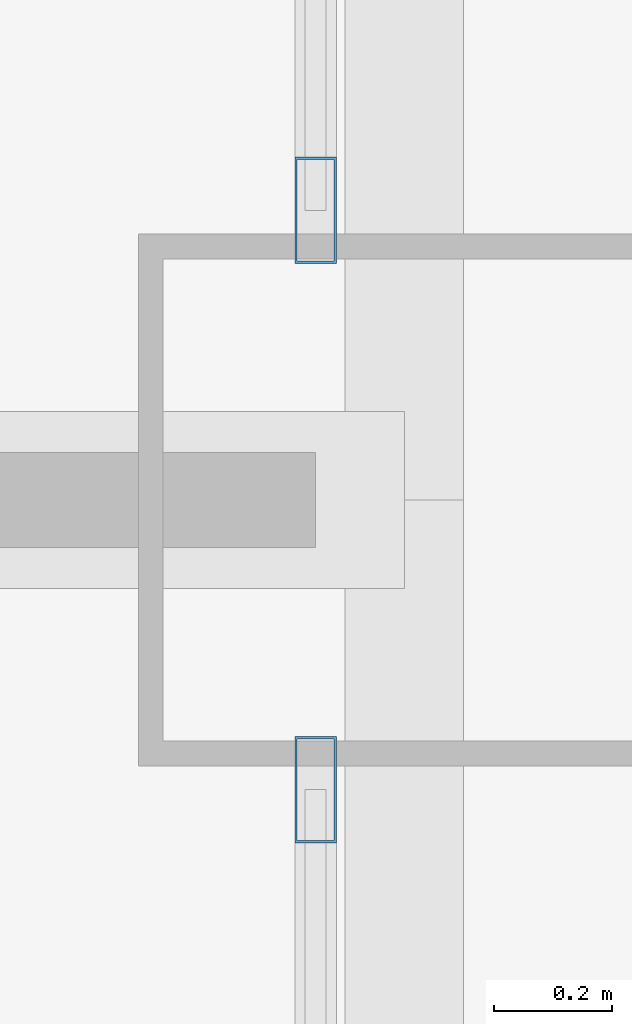
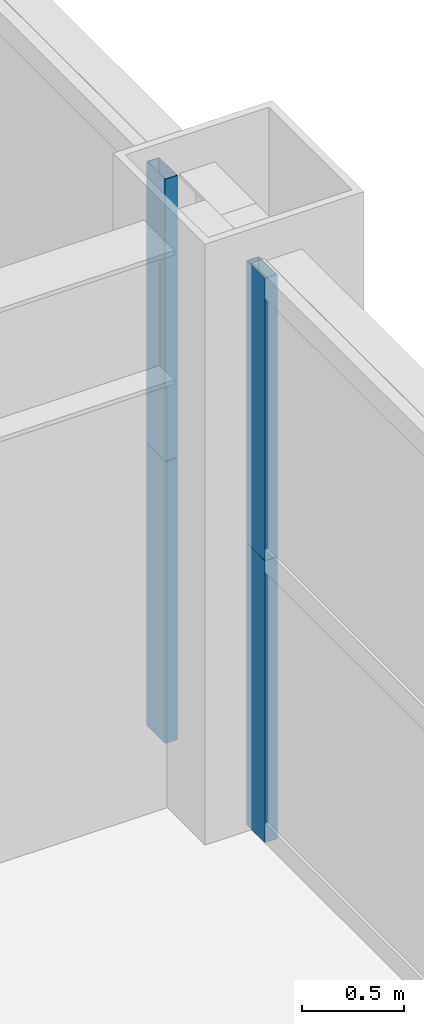
# One storey, part 21 of 43: 4 members, 2 elements without a shape of their own.
"""IFC4 building model written with IfcOpenShell, lengths in metres."""

from ifc_helpers import new_model, si_unit, direction, frame, origin, origin_2d, place, context, subcontext, project, spatial, hollow_rectangle, extrude, source, transform, mapped, material, layer, layer_set, material_profile, profile_set, type_object, element, aggregate, save


model = new_model("IFC4")

# Units and contexts
model_context = context("Model", 3, precision=1e-05, world=origin(), true_north=direction((0.0, 1.0)))
body_context = subcontext(model_context, "Body", "Model", "MODEL_VIEW")
ifc_project = project(units=[si_unit("LENGTHUNIT", "METRE"), si_unit("AREAUNIT", "SQUARE_METRE"), si_unit("VOLUMEUNIT", "CUBIC_METRE"), si_unit("PLANEANGLEUNIT", "RADIAN"), si_unit("MASSUNIT", "GRAM", prefix="KILO"), si_unit("THERMODYNAMICTEMPERATUREUNIT", "KELVIN"), si_unit("POWERUNIT", "WATT")], contexts=[model_context])

# Site, building, storey
site_placement = place(None, origin())
site = spatial("IfcSite", under=ifc_project, at=site_placement, CompositionType="ELEMENT")
building_placement = place(site_placement, origin())
building = spatial("IfcBuilding", under=site, at=building_placement, Name="Yuzanri Waterfront Tower", CompositionType="ELEMENT")
storey_placement = place(building_placement, frame((0.0, 0.0, 64.0)))
storey = spatial("IfcBuildingStorey", under=building, at=storey_placement, Name="L16", CompositionType="ELEMENT", Elevation=64.0)

# Curtain wall, members
ifc_material_1 = material(Name="Anodized Architectural Bronze", Category="metal")
ifc_layer = layer(ifc_material_1, 0.159912109375)
ifc_layer_set = layer_set([ifc_layer], Name="Anodized Architectural Bronze")
curtain_wall_type = type_object("IfcCurtainWallType", Name="Anodized Bronze Hotel Lower-Tier Recessed Unitized Curtain Wall 8100", PredefinedType="NOTDEFINED", material=ifc_layer_set)
curtain_wall_1_placement = place(storey_placement, origin())
curtain_wall_1 = element("IfcCurtainWall", 1, at=curtain_wall_1_placement, inside=storey, type_object=curtain_wall_type, Name="L16 Curtain Wall CW-L16-EL", PredefinedType="NOTDEFINED")
ifc_material_2 = material(Name="Anodized Architectural Bronze", Category="metal")
ifc_material_profile = material_profile(ifc_material_2, hollow_rectangle(XDim=0.070068359375, YDim=0.179931640625, WallThickness=0.00390625, at=origin_2d()), Name="CWM 70x180")
ifc_profile_set = profile_set([ifc_material_profile], Name="Anodized Architectural Bronze")
member_type = type_object("IfcMemberType", Name="Anodized Bronze Standard Curtain-Wall Mullion 70x180", PredefinedType="MULLION", material=ifc_profile_set)
shared_shape = source(origin(), body_context, "Body", "SweptSolid", [
    extrude(hollow_rectangle(XDim=0.070068359375, YDim=0.179931640625, WallThickness=0.00390625, at=origin_2d()), origin(), (0.0, 0.0, 1.0), 1.68798828125),
])
member_1_placement = place(storey_placement, frame((61.949951171875, 25.31005859375, 0.0), z_axis=(0.0, 0.0, 1.0), x_axis=(1.0, 0.0, 0.0)))
member_1 = element("IfcMember", 2, at=member_1_placement, type_object=member_type, Name="CW-L16-EL Lower Mullion 02", PredefinedType="MULLION", context=body_context, shape_type="MappedRepresentation", body=[
    mapped(shared_shape, transform((0.0, 0.0, 0.0), scale=1.0)),
])
member_2_placement = place(storey_placement, frame((61.949951171875, 25.31005859375, 1.69189453125), z_axis=(0.0, 0.0, 1.0), x_axis=(1.0, 0.0, 0.0)))
member_2 = element("IfcMember", 3, at=member_2_placement, type_object=member_type, Name="CW-L16-EL Upper Mullion 02", PredefinedType="MULLION", context=body_context, shape_type="MappedRepresentation", body=[
    mapped(shared_shape, transform((0.0, 0.0, 0.0), scale=1.0)),
])
aggregate(curtain_wall_1, [member_1, member_2])

curtain_wall_2_placement = place(storey_placement, origin())
curtain_wall_2 = element("IfcCurtainWall", 4, at=curtain_wall_2_placement, inside=storey, type_object=curtain_wall_type, Name="L16 Curtain Wall CW-L16-ER", PredefinedType="NOTDEFINED")
member_3_placement = place(storey_placement, frame((61.949951171875, 26.2900390625, 0.0), z_axis=(0.0, 0.0, 1.0), x_axis=(1.0, 0.0, 0.0)))
member_3 = element("IfcMember", 5, at=member_3_placement, type_object=member_type, Name="CW-L16-ER Lower Mullion 00", PredefinedType="MULLION", context=body_context, shape_type="MappedRepresentation", body=[
    mapped(shared_shape, transform((0.0, 0.0, 0.0), scale=1.0)),
])
member_4_placement = place(storey_placement, frame((61.949951171875, 26.2900390625, 1.69189453125), z_axis=(0.0, 0.0, 1.0), x_axis=(1.0, 0.0, 0.0)))
member_4 = element("IfcMember", 6, at=member_4_placement, type_object=member_type, Name="CW-L16-ER Upper Mullion 00", PredefinedType="MULLION", context=body_context, shape_type="MappedRepresentation", body=[
    mapped(shared_shape, transform((0.0, 0.0, 0.0), scale=1.0)),
])
aggregate(curtain_wall_2, [member_3, member_4])

save(model, "model.ifc")
